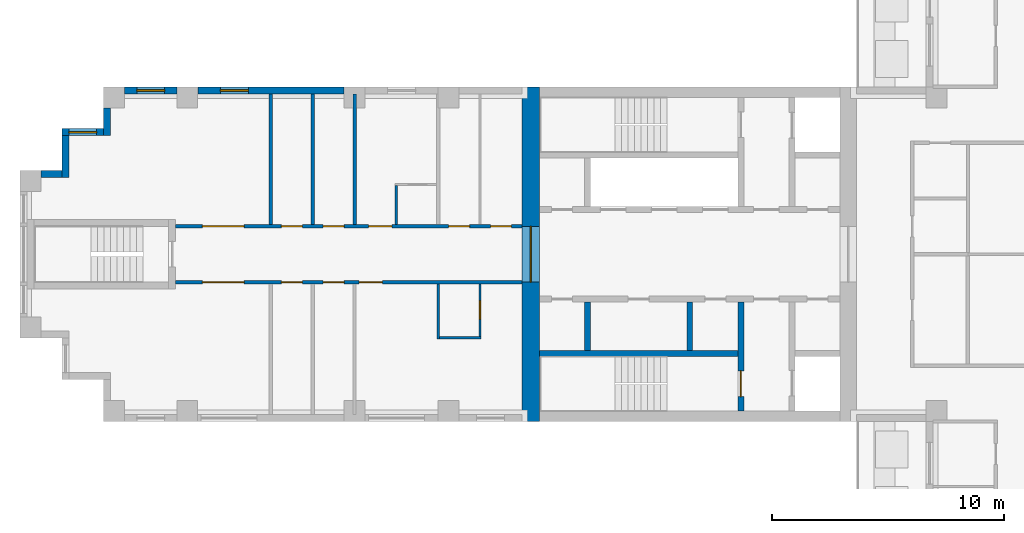
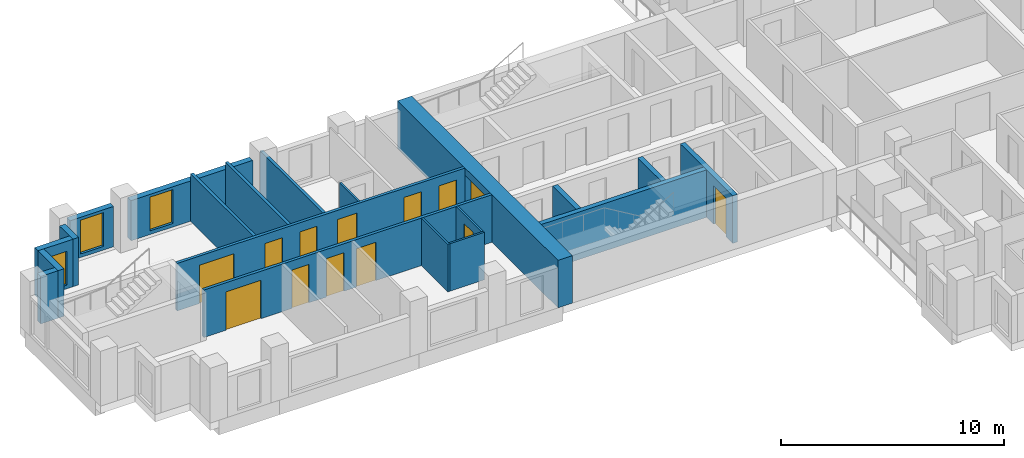
# One storey, part 3 of 12: 20 walls, 13 doors, 3 windows, 16 openings.
"""IFC4 building model written with IfcOpenShell, lengths in metres."""

from ifc_helpers import new_model, si_unit, direction, frame, frame_2d, origin, place, context, subcontext, project, spatial, rectangle, extrude, material, layer, layer_set, type_object, element, fill, save


model = new_model("IFC4")

# Units and contexts
model_context = context("Model", 3, precision=1e-05, world=origin(), true_north=direction((0.0, 1.0)))
body_context = subcontext(model_context, "Body", "Model", "MODEL_VIEW")
ifc_project = project(units=[si_unit("LENGTHUNIT", "METRE"), si_unit("AREAUNIT", "SQUARE_METRE"), si_unit("VOLUMEUNIT", "CUBIC_METRE"), si_unit("PLANEANGLEUNIT", "RADIAN"), si_unit("MASSUNIT", "GRAM", prefix="KILO")], contexts=[model_context])

# Site, building, storey
site_placement = place(None, origin())
site = spatial("IfcSite", under=ifc_project, at=site_placement, CompositionType="ELEMENT")
building_placement = place(site_placement, origin())
building = spatial("IfcBuilding", under=site, at=building_placement, Name="Fustian Cross Tower", CompositionType="ELEMENT")
storey_placement = place(building_placement, frame((0.0, 0.0, 150.300048828125)))
storey = spatial("IfcBuildingStorey", under=building, at=storey_placement, Name="L47", CompositionType="ELEMENT", Elevation=150.300048828125)

# Wall, openings, doors
ifc_material_1 = material(Name="Plasterboard on steel stud", Category="steel")
ifc_layer_1 = layer(ifc_material_1, 0.14990234375)
ifc_layer_set_1 = layer_set([ifc_layer_1], Name="Plasterboard on steel stud")
wall_type_1 = type_object("IfcWallType", Name="COMPARTMENT WALL 150 EI 60", PredefinedType="PARTITIONING", material=ifc_layer_set_1)
wall_1_placement = place(storey_placement, frame((-36.5, -1.199951171875, 0.0), z_axis=(0.0, 0.0, 1.0), x_axis=(1.0, 0.0, 0.0)))
wall_1 = element("IfcWall", 1, at=wall_1_placement, inside=storey, type_object=wall_type_1, Name="Partition 1", PredefinedType="PARTITIONING", context=body_context, shape_type="SweptSolid", body=[
    extrude(rectangle(XDim=14.89990234375, YDim=0.14990234375, at=frame_2d((7.449951171875, 0.0))), origin(), (0.0, 0.0, 1.0), 2.599853515625),
])
opening_1_placement = place(wall_1_placement, frame((7.89990234375, 0.0, 0.0)))
opening_1 = element("IfcOpeningElement", 2, at=opening_1_placement, cuts=wall_1, Name="Opening D21027", PredefinedType="OPENING", context=body_context, shape_type="SweptSolid", body=[
    extrude(rectangle(XDim=1.0, YDim=2.10009765625, at=frame_2d((0.5, 1.050048828125))), frame((0.0, 0.0849609375, 0.0), z_axis=(0.0, -1.0, 0.0), x_axis=(1.0, 0.0, 0.0)), (0.0, 0.0, 1.0), 0.169921875),
])
opening_2_placement = place(wall_1_placement, frame((6.35009765625, 0.0, 0.0)))
opening_2 = element("IfcOpeningElement", 3, at=opening_2_placement, cuts=wall_1, Name="Opening D21028", PredefinedType="OPENING", context=body_context, shape_type="SweptSolid", body=[
    extrude(rectangle(XDim=0.89990234375, YDim=2.10009765625, at=frame_2d((0.449951171875, 1.050048828125))), frame((0.0, 0.0849609375, 0.0), z_axis=(0.0, -1.0, 0.0), x_axis=(1.0, 0.0, 0.0)), (0.0, 0.0, 1.0), 0.169921875),
])
opening_3_placement = place(wall_1_placement, frame((4.550048828125, 0.0, 0.0)))
opening_3 = element("IfcOpeningElement", 4, at=opening_3_placement, cuts=wall_1, Name="Opening D21029", PredefinedType="OPENING", context=body_context, shape_type="SweptSolid", body=[
    extrude(rectangle(XDim=0.89990234375, YDim=2.10009765625, at=frame_2d((0.449951171875, 1.050048828125))), frame((0.0, 0.0849609375, 0.0), z_axis=(0.0, -1.0, 0.0), x_axis=(1.0, 0.0, 0.0)), (0.0, 0.0, 1.0), 0.169921875),
])
opening_4_placement = place(wall_1_placement, frame((1.14990234375, 0.0, 0.0)))
opening_4 = element("IfcOpeningElement", 5, at=opening_4_placement, cuts=wall_1, Name="Opening D21030", PredefinedType="OPENING", context=body_context, shape_type="SweptSolid", body=[
    extrude(rectangle(XDim=1.800048828125, YDim=2.10009765625, at=frame_2d((0.89990234375, 1.050048828125))), frame((0.0, 0.0849609375, 0.0), z_axis=(0.0, -1.0, 0.0), x_axis=(1.0, 0.0, 0.0)), (0.0, 0.0, 1.0), 0.169921875),
])
ifc_material_2 = material(Name="Timber fire door set", Category="wood")
door_type_1 = type_object("IfcDoorType", Name="FIRE DOUBLE DOOR 1800 FD30S", OperationType="DOUBLE_DOOR_DOUBLE_SWING", PredefinedType="DOOR", material=ifc_material_2)
door_1_placement = place(opening_4_placement, origin())
door_1 = element("IfcDoor", 6, at=door_1_placement, inside=storey, type_object=door_type_1, Name="Door D21030", OperationType="DOUBLE_DOOR_DOUBLE_SWING", OverallHeight=2.10009765625, OverallWidth=1.800048828125, PredefinedType="DOOR", context=body_context, shape_type="SweptSolid", body=[
    extrude(rectangle(XDim=1.800048828125, YDim=2.10009765625, at=frame_2d((0.89990234375, 1.050048828125))), frame((0.0, 0.02490234375, 0.0), z_axis=(0.0, -1.0, 0.0), x_axis=(1.0, 0.0, 0.0)), (0.0, 0.0, 1.0), 0.050048828125),
])
fill(opening_4, door_1)
ifc_material_3 = material(Name="Timber fire door set", Category="wood")
door_type_2 = type_object("IfcDoorType", Name="FIRE SWING DOOR 1000 FD30S", OperationType="SINGLE_SWING_LEFT", PredefinedType="DOOR", material=ifc_material_3)
door_2_placement = place(opening_1_placement, frame((1.0, 0.0, 0.0), z_axis=(0.0, 0.0, 1.0), x_axis=(-1.0, 0.0, 0.0)))
door_2 = element("IfcDoor", 7, at=door_2_placement, inside=storey, type_object=door_type_2, Name="Door D21027", OperationType="SINGLE_SWING_RIGHT", OverallHeight=2.10009765625, OverallWidth=1.0, PredefinedType="DOOR", context=body_context, shape_type="SweptSolid", body=[
    extrude(rectangle(XDim=1.0, YDim=2.10009765625, at=frame_2d((0.5, 1.050048828125))), frame((0.0, 0.02490234375, 0.0), z_axis=(0.0, -1.0, 0.0), x_axis=(1.0, 0.0, 0.0)), (0.0, 0.0, 1.0), 0.050048828125),
])
fill(opening_1, door_2)
ifc_material_4 = material(Name="Timber fire door set", Category="wood")
door_type_3 = type_object("IfcDoorType", Name="FIRE SWING DOOR 900 FD30S", OperationType="SINGLE_SWING_LEFT", PredefinedType="DOOR", material=ifc_material_4)
door_3_placement = place(opening_2_placement, frame((0.89990234375, 0.0, 0.0), z_axis=(0.0, 0.0, 1.0), x_axis=(-1.0, 0.0, 0.0)))
door_3 = element("IfcDoor", 8, at=door_3_placement, inside=storey, type_object=door_type_3, Name="Door D21028", OperationType="SINGLE_SWING_LEFT", OverallHeight=2.10009765625, OverallWidth=0.89990234375, PredefinedType="DOOR", context=body_context, shape_type="SweptSolid", body=[
    extrude(rectangle(XDim=0.89990234375, YDim=2.10009765625, at=frame_2d((0.449951171875, 1.050048828125))), frame((0.0, 0.02490234375, 0.0), z_axis=(0.0, -1.0, 0.0), x_axis=(1.0, 0.0, 0.0)), (0.0, 0.0, 1.0), 0.050048828125),
])
fill(opening_2, door_3)
door_4_placement = place(opening_3_placement, frame((0.89990234375, 0.0, 0.0), z_axis=(0.0, 0.0, 1.0), x_axis=(-1.0, 0.0, 0.0)))
door_4 = element("IfcDoor", 9, at=door_4_placement, inside=storey, type_object=door_type_3, Name="Door D21029", OperationType="SINGLE_SWING_LEFT", OverallHeight=2.10009765625, OverallWidth=0.89990234375, PredefinedType="DOOR", context=body_context, shape_type="SweptSolid", body=[
    extrude(rectangle(XDim=0.89990234375, YDim=2.10009765625, at=frame_2d((0.449951171875, 1.050048828125))), frame((0.0, 0.02490234375, 0.0), z_axis=(0.0, -1.0, 0.0), x_axis=(1.0, 0.0, 0.0)), (0.0, 0.0, 1.0), 0.050048828125),
])
fill(opening_3, door_4)

wall_2_placement = place(storey_placement, frame((-36.5, 1.199951171875, 0.0), z_axis=(0.0, 0.0, 1.0), x_axis=(1.0, 0.0, 0.0)))
wall_2 = element("IfcWall", 10, at=wall_2_placement, inside=storey, type_object=wall_type_1, Name="Partition 2", PredefinedType="PARTITIONING", context=body_context, shape_type="SweptSolid", body=[
    extrude(rectangle(XDim=14.89990234375, YDim=0.14990234375, at=frame_2d((7.449951171875, 0.0))), origin(), (0.0, 0.0, 1.0), 2.599853515625),
])
opening_5_placement = place(wall_2_placement, frame((13.550048828125, 0.0, 0.0)))
opening_5 = element("IfcOpeningElement", 11, at=opening_5_placement, cuts=wall_2, Name="Opening D21031", PredefinedType="OPENING", context=body_context, shape_type="SweptSolid", body=[
    extrude(rectangle(XDim=0.89990234375, YDim=2.10009765625, at=frame_2d((0.449951171875, 1.050048828125))), frame((0.0, 0.0849609375, 0.0), z_axis=(0.0, -1.0, 0.0), x_axis=(1.0, 0.0, 0.0)), (0.0, 0.0, 1.0), 0.169921875),
])
opening_6_placement = place(wall_2_placement, frame((11.75, 0.0, 0.0)))
opening_6 = element("IfcOpeningElement", 12, at=opening_6_placement, cuts=wall_2, Name="Opening D21032", PredefinedType="OPENING", context=body_context, shape_type="SweptSolid", body=[
    extrude(rectangle(XDim=0.89990234375, YDim=2.10009765625, at=frame_2d((0.449951171875, 1.050048828125))), frame((0.0, 0.0849609375, 0.0), z_axis=(0.0, -1.0, 0.0), x_axis=(1.0, 0.0, 0.0)), (0.0, 0.0, 1.0), 0.169921875),
])
opening_7_placement = place(wall_2_placement, frame((8.300048828125, 0.0, 0.0)))
opening_7 = element("IfcOpeningElement", 13, at=opening_7_placement, cuts=wall_2, Name="Opening D21034", PredefinedType="OPENING", context=body_context, shape_type="SweptSolid", body=[
    extrude(rectangle(XDim=1.0, YDim=2.10009765625, at=frame_2d((0.5, 1.050048828125))), frame((0.0, 0.0849609375, 0.0), z_axis=(0.0, -1.0, 0.0), x_axis=(1.0, 0.0, 0.0)), (0.0, 0.0, 1.0), 0.169921875),
])
opening_8_placement = place(wall_2_placement, frame((6.35009765625, 0.0, 0.0)))
opening_8 = element("IfcOpeningElement", 14, at=opening_8_placement, cuts=wall_2, Name="Opening D21035", PredefinedType="OPENING", context=body_context, shape_type="SweptSolid", body=[
    extrude(rectangle(XDim=0.89990234375, YDim=2.10009765625, at=frame_2d((0.449951171875, 1.050048828125))), frame((0.0, 0.0849609375, 0.0), z_axis=(0.0, -1.0, 0.0), x_axis=(1.0, 0.0, 0.0)), (0.0, 0.0, 1.0), 0.169921875),
])
opening_9_placement = place(wall_2_placement, frame((4.550048828125, 0.0, 0.0)))
opening_9 = element("IfcOpeningElement", 15, at=opening_9_placement, cuts=wall_2, Name="Opening D21036", PredefinedType="OPENING", context=body_context, shape_type="SweptSolid", body=[
    extrude(rectangle(XDim=0.89990234375, YDim=2.10009765625, at=frame_2d((0.449951171875, 1.050048828125))), frame((0.0, 0.0849609375, 0.0), z_axis=(0.0, -1.0, 0.0), x_axis=(1.0, 0.0, 0.0)), (0.0, 0.0, 1.0), 0.169921875),
])
opening_10_placement = place(wall_2_placement, frame((1.14990234375, 0.0, 0.0)))
opening_10 = element("IfcOpeningElement", 16, at=opening_10_placement, cuts=wall_2, Name="Opening D21037", PredefinedType="OPENING", context=body_context, shape_type="SweptSolid", body=[
    extrude(rectangle(XDim=1.800048828125, YDim=2.10009765625, at=frame_2d((0.89990234375, 1.050048828125))), frame((0.0, 0.0849609375, 0.0), z_axis=(0.0, -1.0, 0.0), x_axis=(1.0, 0.0, 0.0)), (0.0, 0.0, 1.0), 0.169921875),
])
door_5_placement = place(opening_10_placement, frame((1.800048828125, 0.0, 0.0), z_axis=(0.0, 0.0, 1.0), x_axis=(-1.0, 0.0, 0.0)))
door_5 = element("IfcDoor", 17, at=door_5_placement, inside=storey, type_object=door_type_1, Name="Door D21037", OperationType="DOUBLE_DOOR_DOUBLE_SWING", OverallHeight=2.10009765625, OverallWidth=1.800048828125, PredefinedType="DOOR", context=body_context, shape_type="SweptSolid", body=[
    extrude(rectangle(XDim=1.800048828125, YDim=2.10009765625, at=frame_2d((0.89990234375, 1.050048828125))), frame((0.0, 0.02490234375, 0.0), z_axis=(0.0, -1.0, 0.0), x_axis=(1.0, 0.0, 0.0)), (0.0, 0.0, 1.0), 0.050048828125),
])
fill(opening_10, door_5)
door_6_placement = place(opening_7_placement, origin())
door_6 = element("IfcDoor", 18, at=door_6_placement, inside=storey, type_object=door_type_2, Name="Door D21034", OperationType="SINGLE_SWING_RIGHT", OverallHeight=2.10009765625, OverallWidth=1.0, PredefinedType="DOOR", context=body_context, shape_type="SweptSolid", body=[
    extrude(rectangle(XDim=1.0, YDim=2.10009765625, at=frame_2d((0.5, 1.050048828125))), frame((0.0, 0.02490234375, 0.0), z_axis=(0.0, -1.0, 0.0), x_axis=(1.0, 0.0, 0.0)), (0.0, 0.0, 1.0), 0.050048828125),
])
fill(opening_7, door_6)
door_7_placement = place(opening_5_placement, origin())
door_7 = element("IfcDoor", 19, at=door_7_placement, inside=storey, type_object=door_type_3, Name="Door D21031", OperationType="SINGLE_SWING_RIGHT", OverallHeight=2.10009765625, OverallWidth=0.89990234375, PredefinedType="DOOR", context=body_context, shape_type="SweptSolid", body=[
    extrude(rectangle(XDim=0.89990234375, YDim=2.10009765625, at=frame_2d((0.449951171875, 1.050048828125))), frame((0.0, 0.02490234375, 0.0), z_axis=(0.0, -1.0, 0.0), x_axis=(1.0, 0.0, 0.0)), (0.0, 0.0, 1.0), 0.050048828125),
])
fill(opening_5, door_7)
door_8_placement = place(opening_6_placement, origin())
door_8 = element("IfcDoor", 20, at=door_8_placement, inside=storey, type_object=door_type_3, Name="Door D21032", OperationType="SINGLE_SWING_RIGHT", OverallHeight=2.10009765625, OverallWidth=0.89990234375, PredefinedType="DOOR", context=body_context, shape_type="SweptSolid", body=[
    extrude(rectangle(XDim=0.89990234375, YDim=2.10009765625, at=frame_2d((0.449951171875, 1.050048828125))), frame((0.0, 0.02490234375, 0.0), z_axis=(0.0, -1.0, 0.0), x_axis=(1.0, 0.0, 0.0)), (0.0, 0.0, 1.0), 0.050048828125),
])
fill(opening_6, door_8)
door_9_placement = place(opening_8_placement, origin())
door_9 = element("IfcDoor", 21, at=door_9_placement, inside=storey, type_object=door_type_3, Name="Door D21035", OperationType="SINGLE_SWING_RIGHT", OverallHeight=2.10009765625, OverallWidth=0.89990234375, PredefinedType="DOOR", context=body_context, shape_type="SweptSolid", body=[
    extrude(rectangle(XDim=0.89990234375, YDim=2.10009765625, at=frame_2d((0.449951171875, 1.050048828125))), frame((0.0, 0.02490234375, 0.0), z_axis=(0.0, -1.0, 0.0), x_axis=(1.0, 0.0, 0.0)), (0.0, 0.0, 1.0), 0.050048828125),
])
fill(opening_8, door_9)
door_10_placement = place(opening_9_placement, frame((0.89990234375, 0.0, 0.0), z_axis=(0.0, 0.0, 1.0), x_axis=(-1.0, 0.0, 0.0)))
door_10 = element("IfcDoor", 22, at=door_10_placement, inside=storey, type_object=door_type_3, Name="Door D21036", OperationType="SINGLE_SWING_RIGHT", OverallHeight=2.10009765625, OverallWidth=0.89990234375, PredefinedType="DOOR", context=body_context, shape_type="SweptSolid", body=[
    extrude(rectangle(XDim=0.89990234375, YDim=2.10009765625, at=frame_2d((0.449951171875, 1.050048828125))), frame((0.0, 0.02490234375, 0.0), z_axis=(0.0, -1.0, 0.0), x_axis=(1.0, 0.0, 0.0)), (0.0, 0.0, 1.0), 0.050048828125),
])
fill(opening_9, door_10)

# Walls
for number, where, z_axis, x_axis, name in (
    (23, (-32.39990234375, 1.27490234375, 0.0), (0.0, 0.0, 1.0), (0.0, 1.0, 0.0), "Partition 4"),
    (24, (-30.60009765625, 1.27490234375, 0.0), (0.0, 0.0, 1.0), (0.0, 1.0, 0.0), "Partition 6"),
    (25, (-28.800048828125, 1.27490234375, 0.0), (0.0, 0.0, 1.0), (0.0, 1.0, 0.0), "Partition 8"),
):
    element("IfcWall", number, at=place(storey_placement, frame(where, z_axis=z_axis, x_axis=x_axis)), inside=storey, type_object=wall_type_1, Name=name, PredefinedType="PARTITIONING", context=body_context, shape_type="SweptSolid", body=[
        extrude(rectangle(XDim=5.625, YDim=0.14990234375, at=frame_2d((2.8125, 0.0))), origin(), (0.0, 0.0, 1.0), 2.599853515625),
    ])

# Wall, opening, door
ifc_material_5 = material(Name="Concrete C60/75", Category="concrete")
ifc_layer_2 = layer(ifc_material_5, 0.75)
ifc_layer_set_2 = layer_set([ifc_layer_2], Name="Concrete C60/75")
wall_type_2 = type_object("IfcWallType", Name="CORE END WALL 750 C60/75", PredefinedType="SHEAR", material=ifc_layer_set_2)
wall_3_placement = place(storey_placement, frame((-21.22509765625, -7.199951171875, 0.0), z_axis=(0.0, 0.0, 1.0), x_axis=(0.0, 1.0, 0.0)))
wall_3 = element("IfcWall", 26, at=wall_3_placement, inside=storey, type_object=wall_type_2, Name="Core end wall", PredefinedType="SHEAR", context=body_context, shape_type="SweptSolid", body=[
    extrude(rectangle(XDim=14.39990234375, YDim=0.75, at=frame_2d((7.199951171875, 0.0))), origin(), (0.0, 0.0, 1.0), 2.599853515625),
])
opening_11_placement = place(wall_3_placement, frame((6.0, 0.0, 0.0)))
opening_11 = element("IfcOpeningElement", 27, at=opening_11_placement, cuts=wall_3, Name="Opening CD-16-30", PredefinedType="OPENING", context=body_context, shape_type="SweptSolid", body=[
    extrude(rectangle(XDim=2.39990234375, YDim=2.199951171875, at=frame_2d((1.199951171875, 1.10009765625))), frame((0.0, 0.385009765625, 0.0), z_axis=(0.0, -1.0, 0.0), x_axis=(1.0, 0.0, 0.0)), (0.0, 0.0, 1.0), 0.77001953125),
])
ifc_material_6 = material(Name="Steel", Category="steel")
door_type_4 = type_object("IfcDoorType", Name="FIRE DOOR FD30S DOUBLE 2400X2200", OperationType="DOUBLE_DOOR_DOUBLE_SWING", PredefinedType="DOOR", material=ifc_material_6)
door_11_placement = place(opening_11_placement, frame((2.39990234375, 0.0, 0.0), z_axis=(0.0, 0.0, 1.0), x_axis=(-1.0, 0.0, 0.0)))
door_11 = element("IfcDoor", 28, at=door_11_placement, inside=storey, type_object=door_type_4, Name="Core door CD-16-30", OperationType="DOUBLE_DOOR_DOUBLE_SWING", OverallHeight=2.199951171875, OverallWidth=2.39990234375, PredefinedType="DOOR", context=body_context, shape_type="SweptSolid", body=[
    extrude(rectangle(XDim=2.39990234375, YDim=2.199951171875, at=frame_2d((1.199951171875, 1.10009765625))), frame((0.0, 0.02490234375, 0.0), z_axis=(0.0, -1.0, 0.0), x_axis=(1.0, 0.0, 0.0)), (0.0, 0.0, 1.0), 0.050048828125),
])
fill(opening_11, door_11)

# Wall
ifc_material_7 = material(Name="Concrete C50/60", Category="concrete")
ifc_layer_3 = layer(ifc_material_7, 0.25)
ifc_layer_set_3 = layer_set([ifc_layer_3], Name="Concrete C50/60")
wall_type_3 = type_object("IfcWallType", Name="CORE SHAFT WALL 250 C50/60", PredefinedType="SHEAR", material=ifc_layer_set_3)
wall_4_placement = place(storey_placement, frame((-12.300048828125, -4.27490234375, 0.0), z_axis=(0.0, 0.0, 1.0), x_axis=(-1.0, 0.0, 0.0)))
element("IfcWall", 29, at=wall_4_placement, inside=storey, type_object=wall_type_3, Name="Core shaft wall", PredefinedType="SHEAR", context=body_context, shape_type="SweptSolid", body=[
    extrude(rectangle(XDim=8.550048828125, YDim=0.25, at=frame_2d((4.27490234375, 0.0))), origin(), (0.0, 0.0, 1.0), 2.599853515625),
])

# Wall, opening, door
wall_5_placement = place(storey_placement, frame((-12.175048828125, -2.050048828125, 0.0), z_axis=(0.0, 0.0, 1.0), x_axis=(0.0, -1.0, 0.0)))
wall_5 = element("IfcWall", 30, at=wall_5_placement, inside=storey, type_object=wall_type_3, Name="Core shaft wall", PredefinedType="SHEAR", context=body_context, shape_type="SweptSolid", body=[
    extrude(rectangle(XDim=4.699951171875, YDim=0.25, at=frame_2d((2.35009765625, 0.0))), origin(), (0.0, 0.0, 1.0), 2.599853515625),
])
opening_12_placement = place(wall_5_placement, frame((2.97509765625, 0.0, 0.0)))
opening_12 = element("IfcOpeningElement", 31, at=opening_12_placement, cuts=wall_5, Name="Opening CD-16-24", PredefinedType="OPENING", context=body_context, shape_type="SweptSolid", body=[
    extrude(rectangle(XDim=1.10009765625, YDim=2.10009765625, at=frame_2d((0.550048828125, 1.050048828125))), frame((0.0, 0.135009765625, 0.0), z_axis=(0.0, -1.0, 0.0), x_axis=(1.0, 0.0, 0.0)), (0.0, 0.0, 1.0), 0.27001953125),
])
ifc_material_8 = material(Name="Steel", Category="steel")
door_type_5 = type_object("IfcDoorType", Name="FIRE DOOR FD60S 1100X2100", OperationType="SINGLE_SWING_LEFT", PredefinedType="DOOR", material=ifc_material_8)
door_12_placement = place(opening_12_placement, frame((1.10009765625, 0.0, 0.0), z_axis=(0.0, 0.0, 1.0), x_axis=(-1.0, 0.0, 0.0)))
door_12 = element("IfcDoor", 32, at=door_12_placement, inside=storey, type_object=door_type_5, Name="Core door CD-16-24", OperationType="SINGLE_SWING_RIGHT", OverallHeight=2.10009765625, OverallWidth=1.10009765625, PredefinedType="DOOR", context=body_context, shape_type="SweptSolid", body=[
    extrude(rectangle(XDim=1.10009765625, YDim=2.10009765625, at=frame_2d((0.550048828125, 1.050048828125))), frame((0.0, 0.02490234375, 0.0), z_axis=(0.0, -1.0, 0.0), x_axis=(1.0, 0.0, 0.0)), (0.0, 0.0, 1.0), 0.050048828125),
])
fill(opening_12, door_12)

# Walls
ifc_material_9 = material(Name="Plasterboard on steel stud", Category="steel")
ifc_layer_4 = layer(ifc_material_9, 0.10009765625)
ifc_layer_set_4 = layer_set([ifc_layer_4], Name="Plasterboard on steel stud")
wall_type_4 = type_object("IfcWallType", Name="PARTITION 100 STUD", PredefinedType="PARTITIONING", material=ifc_layer_set_4)
wall_6_placement = place(storey_placement, frame((-27.0, 1.27490234375, 0.0), z_axis=(0.0, 0.0, 1.0), x_axis=(0.0, 1.0, 0.0)))
element("IfcWall", 33, at=wall_6_placement, inside=storey, type_object=wall_type_4, Name="Partition 9", PredefinedType="PARTITIONING", context=body_context, shape_type="SweptSolid", body=[
    extrude(rectangle(XDim=1.675048828125, YDim=0.10009765625, at=frame_2d((0.83740234375, 0.0))), origin(), (0.0, 0.0, 1.0), 2.599853515625),
])
wall_7_placement = place(storey_placement, frame((-25.199951171875, -3.64990234375, 0.0), z_axis=(0.0, 0.0, 1.0), x_axis=(0.0, 1.0, 0.0)))
element("IfcWall", 34, at=wall_7_placement, inside=storey, type_object=wall_type_4, Name="Partition 11", PredefinedType="PARTITIONING", context=body_context, shape_type="SweptSolid", body=[
    extrude(rectangle(XDim=2.375, YDim=0.10009765625, at=frame_2d((1.1875, 0.0))), origin(), (0.0, 0.0, 1.0), 2.599853515625),
])
wall_8_placement = place(storey_placement, frame((-25.14990234375, -3.60009765625, 0.0), z_axis=(0.0, 0.0, 1.0), x_axis=(1.0, 0.0, 0.0)))
element("IfcWall", 35, at=wall_8_placement, inside=storey, type_object=wall_type_4, Name="Partition 12", PredefinedType="PARTITIONING", context=body_context, shape_type="SweptSolid", body=[
    extrude(rectangle(XDim=1.7998046875, YDim=0.10009765625, at=frame_2d((0.89990234375, 0.0))), origin(), (0.0, 0.0, 1.0), 2.599853515625),
])

# Wall, opening, door
wall_9_placement = place(storey_placement, frame((-23.39990234375, -3.550048828125, 0.0), z_axis=(0.0, 0.0, 1.0), x_axis=(0.0, 1.0, 0.0)))
wall_9 = element("IfcWall", 36, at=wall_9_placement, inside=storey, type_object=wall_type_4, Name="Partition 14", PredefinedType="PARTITIONING", context=body_context, shape_type="SweptSolid", body=[
    extrude(rectangle(XDim=2.275146484375, YDim=0.10009765625, at=frame_2d((1.1376953125, 0.0))), origin(), (0.0, 0.0, 1.0), 2.599853515625),
])
opening_13_placement = place(wall_9_placement, frame((0.75, 0.0, 0.0)))
opening_13 = element("IfcOpeningElement", 37, at=opening_13_placement, cuts=wall_9, Name="Opening D21026", PredefinedType="OPENING", context=body_context, shape_type="SweptSolid", body=[
    extrude(rectangle(XDim=0.800048828125, YDim=2.10009765625, at=frame_2d((0.39990234375, 1.050048828125))), frame((0.0, 0.06005859375, 0.0), z_axis=(0.0, -1.0, 0.0), x_axis=(1.0, 0.0, 0.0)), (0.0, 0.0, 1.0), 0.1201171875),
])
ifc_material_10 = material(Name="Painted timber", Category="wood")
door_type_6 = type_object("IfcDoorType", Name="SWING DOOR 800", OperationType="SINGLE_SWING_LEFT", PredefinedType="DOOR", material=ifc_material_10)
door_13_placement = place(opening_13_placement, origin())
door_13 = element("IfcDoor", 38, at=door_13_placement, inside=storey, type_object=door_type_6, Name="Door D21026", OperationType="SINGLE_SWING_LEFT", OverallHeight=2.10009765625, OverallWidth=0.800048828125, PredefinedType="DOOR", context=body_context, shape_type="SweptSolid", body=[
    extrude(rectangle(XDim=0.800048828125, YDim=2.10009765625, at=frame_2d((0.39990234375, 1.050048828125))), frame((0.0, 0.02490234375, 0.0), z_axis=(0.0, -1.0, 0.0), x_axis=(1.0, 0.0, 0.0)), (0.0, 0.0, 1.0), 0.050048828125),
])
fill(opening_13, door_13)

# Walls
ifc_material_11 = material(Name="Concrete C40/50", Category="concrete")
ifc_layer_5 = layer(ifc_material_11, 0.25)
ifc_layer_set_5 = layer_set([ifc_layer_5], Name="Concrete C40/50")
wall_type_5 = type_object("IfcWallType", Name="SHAFT PARTITION WALL 250 C40/50", PredefinedType="PARTITIONING", material=ifc_layer_set_5)
for number, where, z_axis, x_axis, name in (
    (39, (-14.375, -2.050048828125, 0.0), (0.0, 0.0, 1.0), (0.0, -1.0, 0.0), "Core shaft wall"),
    (40, (-18.77490234375, -2.050048828125, 0.0), (0.0, 0.0, 1.0), (0.0, -1.0, 0.0), "Core shaft wall"),
):
    element("IfcWall", number, at=place(storey_placement, frame(where, z_axis=z_axis, x_axis=x_axis)), inside=storey, type_object=wall_type_5, Name=name, PredefinedType="PARTITIONING", context=body_context, shape_type="SweptSolid", body=[
        extrude(rectangle(XDim=2.099853515625, YDim=0.25, at=frame_2d((1.0498046875, 0.0))), origin(), (0.0, 0.0, 1.0), 2.599853515625),
    ])

# Wall, opening, window
ifc_material_12 = material(Name="Dark aluminium cladding on insulated backing wall", Category="aluminium")
ifc_layer_6 = layer(ifc_material_12, 0.300048828125)
ifc_layer_set_6 = layer_set([ifc_layer_6], Name="Dark aluminium cladding on insulated backing wall")
wall_type_6 = type_object("IfcWallType", Name="XW1 EXTERNAL WALL 300", PredefinedType="SOLIDWALL", material=ifc_layer_set_6)
wall_10_placement = place(storey_placement, frame((-29.25, 7.050048828125, 0.0), z_axis=(0.0, 0.0, 1.0), x_axis=(-1.0, 0.0, 0.0)))
wall_10 = element("IfcWall", 41, at=wall_10_placement, inside=storey, type_object=wall_type_6, Name="External wall", PredefinedType="SOLIDWALL", context=body_context, shape_type="SweptSolid", body=[
    extrude(rectangle(XDim=6.300048828125, YDim=0.300048828125, at=frame_2d((3.14990234375, 0.0))), origin(), (0.0, 0.0, 1.0), 2.199951171875),
])
opening_14_placement = place(wall_10_placement, frame((4.125, 0.0, 0.199951171875)))
opening_14 = element("IfcOpeningElement", 42, at=opening_14_placement, cuts=wall_10, Name="Opening WN3", PredefinedType="OPENING", context=body_context, shape_type="SweptSolid", body=[
    extrude(rectangle(XDim=1.199951171875, YDim=1.85009765625, at=frame_2d((0.60009765625, 0.925048828125))), frame((0.0, 0.159912109375, 0.0), z_axis=(0.0, -1.0, 0.0), x_axis=(1.0, 0.0, 0.0)), (0.0, 0.0, 1.0), 0.320068359375),
])
ifc_material_13 = material(Name="Dark anodised aluminium and double glazing", Category="aluminium")
window_type = type_object("IfcWindowType", Name="WN3 WINDOW 1200X1850", PartitioningType="SINGLE_PANEL", PredefinedType="WINDOW", material=ifc_material_13)
window_1_placement = place(opening_14_placement, origin())
window_1 = element("IfcWindow", 43, at=window_1_placement, inside=storey, type_object=window_type, Name="Window", OverallHeight=1.85009765625, OverallWidth=1.199951171875, PartitioningType="SINGLE_PANEL", PredefinedType="WINDOW", context=body_context, shape_type="SweptSolid", body=[
    extrude(rectangle(XDim=1.199951171875, YDim=1.85009765625, at=frame_2d((0.60009765625, 0.925048828125))), frame((0.0, 0.030029296875, 0.0), z_axis=(0.0, -1.0, 0.0), x_axis=(1.0, 0.0, 0.0)), (0.0, 0.0, 1.0), 0.06005859375),
])
fill(opening_14, window_1)

wall_11_placement = place(storey_placement, frame((-36.449951171875, 7.050048828125, 0.0), z_axis=(0.0, 0.0, 1.0), x_axis=(-1.0, 0.0, 0.0)))
wall_11 = element("IfcWall", 44, at=wall_11_placement, inside=storey, type_object=wall_type_6, Name="External wall", PredefinedType="SOLIDWALL", context=body_context, shape_type="SweptSolid", body=[
    extrude(rectangle(XDim=2.25, YDim=0.300048828125, at=frame_2d((1.125, 0.0))), origin(), (0.0, 0.0, 1.0), 2.199951171875),
])
opening_15_placement = place(wall_11_placement, frame((0.52490234375, 0.0, 0.199951171875)))
opening_15 = element("IfcOpeningElement", 45, at=opening_15_placement, cuts=wall_11, Name="Opening WN3", PredefinedType="OPENING", context=body_context, shape_type="SweptSolid", body=[
    extrude(rectangle(XDim=1.199951171875, YDim=1.85009765625, at=frame_2d((0.60009765625, 0.925048828125))), frame((0.0, 0.159912109375, 0.0), z_axis=(0.0, -1.0, 0.0), x_axis=(1.0, 0.0, 0.0)), (0.0, 0.0, 1.0), 0.320068359375),
])
window_2_placement = place(opening_15_placement, origin())
window_2 = element("IfcWindow", 46, at=window_2_placement, inside=storey, type_object=window_type, Name="Window", OverallHeight=1.85009765625, OverallWidth=1.199951171875, PartitioningType="SINGLE_PANEL", PredefinedType="WINDOW", context=body_context, shape_type="SweptSolid", body=[
    extrude(rectangle(XDim=1.199951171875, YDim=1.85009765625, at=frame_2d((0.60009765625, 0.925048828125))), frame((0.0, 0.030029296875, 0.0), z_axis=(0.0, -1.0, 0.0), x_axis=(1.0, 0.0, 0.0)), (0.0, 0.0, 1.0), 0.06005859375),
])
fill(opening_15, window_2)

# Wall
wall_12_placement = place(storey_placement, frame((-39.449951171875, 6.300048828125, 0.0), z_axis=(0.0, 0.0, 1.0), x_axis=(0.0, -1.0, 0.0)))
element("IfcWall", 47, at=wall_12_placement, inside=storey, type_object=wall_type_6, Name="External wall", PredefinedType="SOLIDWALL", context=body_context, shape_type="SweptSolid", body=[
    extrude(rectangle(XDim=1.199951171875, YDim=0.300048828125, at=frame_2d((0.60009765625, 0.0))), origin(), (0.0, 0.0, 1.0), 2.599853515625),
])

# Wall, opening, window
wall_13_placement = place(storey_placement, frame((-39.60009765625, 5.25, 0.0), z_axis=(0.0, 0.0, 1.0), x_axis=(-1.0, 0.0, 0.0)))
wall_13 = element("IfcWall", 48, at=wall_13_placement, inside=storey, type_object=wall_type_6, Name="External wall", PredefinedType="SOLIDWALL", context=body_context, shape_type="SweptSolid", body=[
    extrude(rectangle(XDim=1.7998046875, YDim=0.300048828125, at=frame_2d((0.89990234375, 0.0))), origin(), (0.0, 0.0, 1.0), 2.599853515625),
])
opening_16_placement = place(wall_13_placement, frame((0.300048828125, 0.0, 0.199951171875)))
opening_16 = element("IfcOpeningElement", 49, at=opening_16_placement, cuts=wall_13, Name="Opening WN3", PredefinedType="OPENING", context=body_context, shape_type="SweptSolid", body=[
    extrude(rectangle(XDim=1.199951171875, YDim=1.85009765625, at=frame_2d((0.60009765625, 0.925048828125))), frame((0.0, 0.159912109375, 0.0), z_axis=(0.0, -1.0, 0.0), x_axis=(1.0, 0.0, 0.0)), (0.0, 0.0, 1.0), 0.320068359375),
])
window_3_placement = place(opening_16_placement, origin())
window_3 = element("IfcWindow", 50, at=window_3_placement, inside=storey, type_object=window_type, Name="Window", OverallHeight=1.85009765625, OverallWidth=1.199951171875, PartitioningType="SINGLE_PANEL", PredefinedType="WINDOW", context=body_context, shape_type="SweptSolid", body=[
    extrude(rectangle(XDim=1.199951171875, YDim=1.85009765625, at=frame_2d((0.60009765625, 0.925048828125))), frame((0.0, 0.030029296875, 0.0), z_axis=(0.0, -1.0, 0.0), x_axis=(1.0, 0.0, 0.0)), (0.0, 0.0, 1.0), 0.06005859375),
])
fill(opening_16, window_3)

# Walls
wall_14_placement = place(storey_placement, frame((-41.25, 5.10009765625, 0.0), z_axis=(0.0, 0.0, 1.0), x_axis=(0.0, -1.0, 0.0)))
element("IfcWall", 51, at=wall_14_placement, inside=storey, type_object=wall_type_6, Name="External wall", PredefinedType="SOLIDWALL", context=body_context, shape_type="SweptSolid", body=[
    extrude(rectangle(XDim=1.800048828125, YDim=0.300048828125, at=frame_2d((0.89990234375, 0.0))), origin(), (0.0, 0.0, 1.0), 2.599853515625),
])
wall_15_placement = place(storey_placement, frame((-41.39990234375, 3.449951171875, 0.0), z_axis=(0.0, 0.0, 1.0), x_axis=(-1.0, 0.0, 0.0)))
element("IfcWall", 52, at=wall_15_placement, inside=storey, type_object=wall_type_6, Name="External wall", PredefinedType="SOLIDWALL", context=body_context, shape_type="SweptSolid", body=[
    extrude(rectangle(XDim=0.900146484375, YDim=0.300048828125, at=frame_2d((0.4501953125, 0.0))), origin(), (0.0, 0.0, 1.0), 2.599853515625),
])

save(model, "model.ifc")
